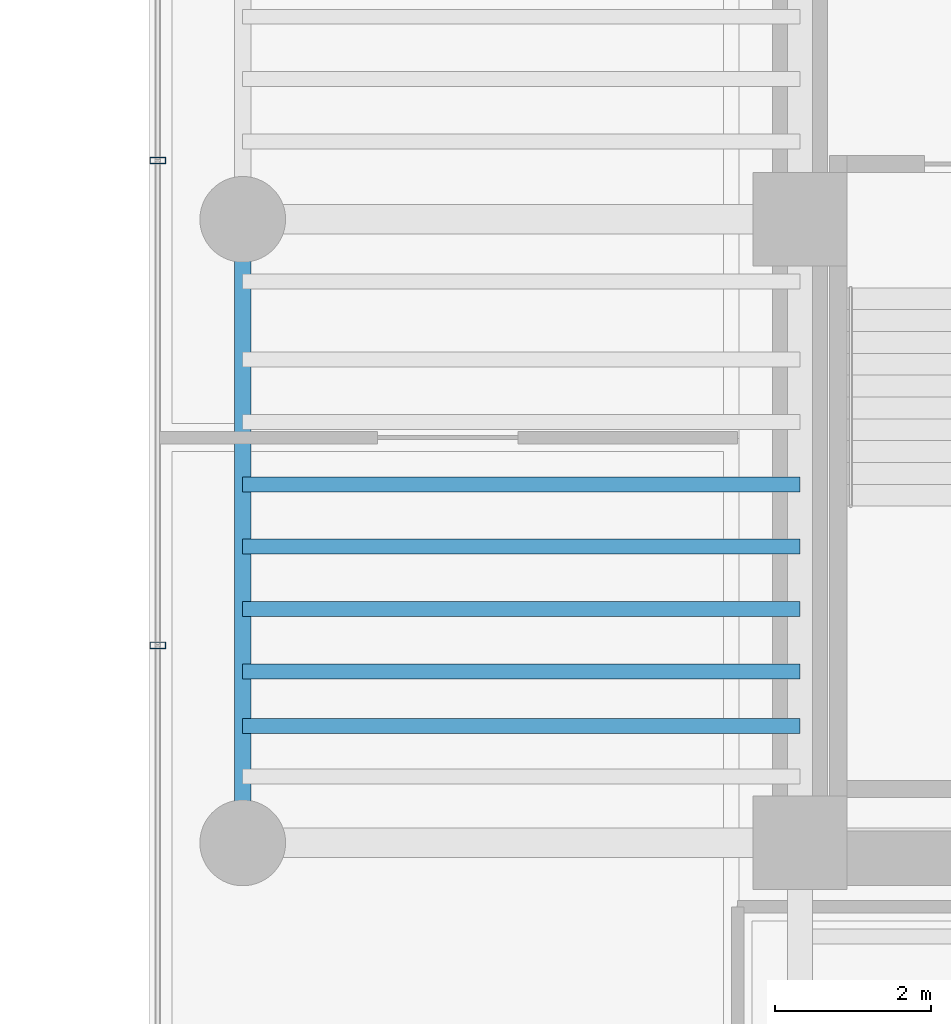
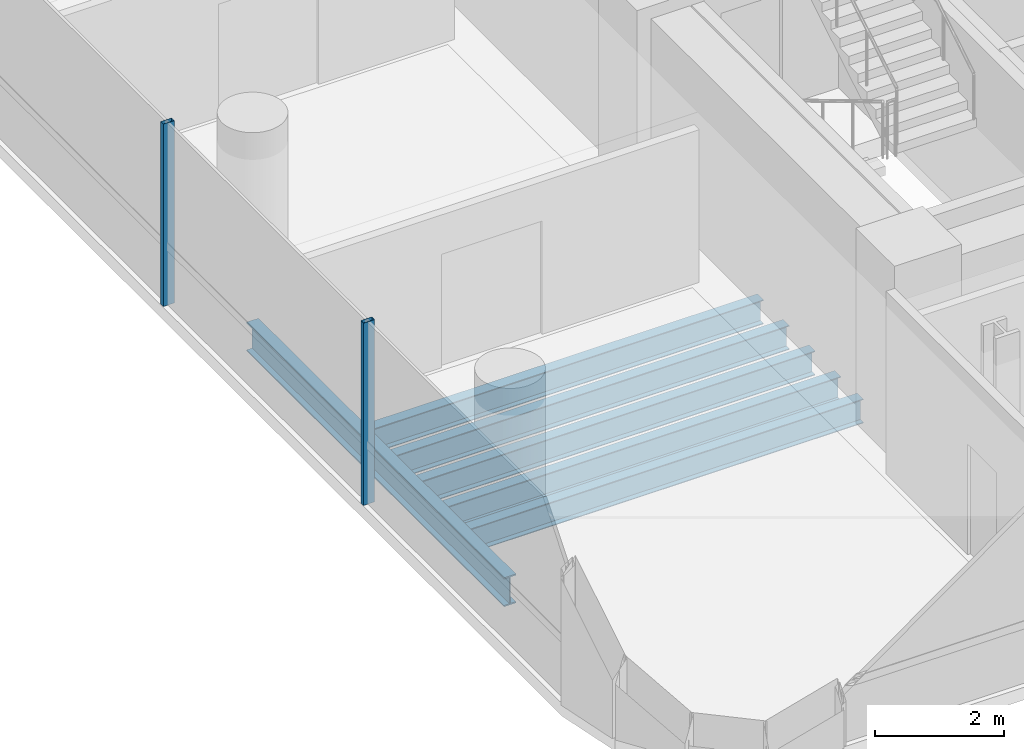
# One storey, part 4 of 35: 6 beams, 2 members, 1 element without a shape of its own.
"""IFC4 building model written with IfcOpenShell, lengths in metres."""

from ifc_helpers import new_model, si_unit, direction, frame, origin, origin_2d, place, context, subcontext, project, spatial, hollow_rectangle, i_section, extrude, source, transform, mapped, material, material_profile, profile_set, type_object, element, aggregate, save


model = new_model("IFC4")

# Units and contexts
model_context = context("Model", 3, precision=1e-05, world=origin(), true_north=direction((0.0, 1.0)))
body_context = subcontext(model_context, "Body", "Model", "MODEL_VIEW")
ifc_project = project(units=[si_unit("LENGTHUNIT", "METRE"), si_unit("AREAUNIT", "SQUARE_METRE"), si_unit("VOLUMEUNIT", "CUBIC_METRE"), si_unit("PLANEANGLEUNIT", "RADIAN"), si_unit("MASSUNIT", "GRAM", prefix="KILO")], contexts=[model_context])

# Site, building, storey
site_placement = place(None, origin())
site = spatial("IfcSite", under=ifc_project, at=site_placement, CompositionType="ELEMENT")
building_placement = place(site_placement, origin())
building = spatial("IfcBuilding", under=site, at=building_placement, Name="Valdorenza Pilgrim Sanctuary Tower", CompositionType="ELEMENT")
storey_placement = place(building_placement, frame((0.0, 0.0, 124.199951171875)))
storey = spatial("IfcBuildingStorey", under=building, at=storey_placement, Name="L31", CompositionType="ELEMENT", Elevation=124.199951171875)

# Beams
ifc_material_1 = material(Name="Steel ASTM A992 Grade 50", Category="steel")
ifc_material_profile_1 = material_profile(ifc_material_1, i_section(OverallWidth=0.214111328125, OverallDepth=0.549072265625, WebThickness=0.0146484375, FlangeThickness=0.023681640625, at=origin_2d()), Name="W21X93")
ifc_profile_set_1 = profile_set([ifc_material_profile_1], Name="Steel ASTM A992 Grade 50")
beam_type_1 = type_object("IfcBeamType", Name="STR-BM-SPN-W21A", PredefinedType="SPANDREL", material=ifc_profile_set_1)
shared_shape_1 = source(origin(), body_context, "Body", "SweptSolid", [
    extrude(i_section(OverallWidth=0.214111328125, OverallDepth=0.549072265625, WebThickness=0.0146484375, FlangeThickness=0.023681640625, at=origin_2d()), origin(), (0.0, 0.0, 1.0), 8.0),
])
beam_placement = place(storey_placement, frame((-29.800048828125, -10.60009765625, -0.514404296875), z_axis=(0.0, 1.0, 0.0), x_axis=(-1.0, 0.0, 0.0)))
element("IfcBeam", 1, at=beam_placement, inside=storey, type_object=beam_type_1, Name="L31 Spandrel Beam WA-W-S1M0", PredefinedType="SPANDREL", context=body_context, shape_type="MappedRepresentation", body=[
    mapped(shared_shape_1, transform((0.0, 0.0, 0.0), x_axis=(1.0, 0.0, 0.0), y_axis=(0.0, 1.0, 0.0), z_axis=(0.0, 0.0, 1.0), scale=1.0)),
])
ifc_material_profile_2 = material_profile(ifc_material_1, i_section(OverallWidth=0.19091796875, OverallDepth=0.45703125, WebThickness=0.009033203125, FlangeThickness=0.014404296875, at=origin_2d()), Name="W18X50")
ifc_profile_set_2 = profile_set([ifc_material_profile_2], Name="Steel ASTM A992 Grade 50")
beam_type_2 = type_object("IfcBeamType", Name="STR-BM-JST-W18B", PredefinedType="JOIST", material=ifc_profile_set_2)
shared_shape_2 = source(origin(), body_context, "Body", "SweptSolid", [
    extrude(i_section(OverallWidth=0.19091796875, OverallDepth=0.45703125, WebThickness=0.009033203125, FlangeThickness=0.014404296875, at=origin_2d()), origin(), (0.0, 0.0, 1.0), 7.150146484375),
])
for number, where, z_axis, x_axis, name in (
    (2, (-29.800048828125, -9.10009765625, -0.468505859375), (1.0, 0.0, 0.0), (0.0, 1.0, 0.0), "L31 Composite Floor Joist JST-WA-2"),
    (3, (-29.800048828125, -8.39990234375, -0.468505859375), (1.0, 0.0, 0.0), (0.0, 1.0, 0.0), "L31 Composite Floor Joist JST-WA-3"),
    (4, (-29.800048828125, -7.60009765625, -0.468505859375), (1.0, 0.0, 0.0), (0.0, 1.0, 0.0), "L31 Composite Floor Joist JST-WA-4"),
    (5, (-29.800048828125, -6.800048828125, -0.468505859375), (1.0, 0.0, 0.0), (0.0, 1.0, 0.0), "L31 Composite Floor Joist JST-WA-5"),
    (6, (-29.800048828125, -6.0, -0.468505859375), (1.0, 0.0, 0.0), (0.0, 1.0, 0.0), "L31 Composite Floor Joist JST-WA-6"),
):
    element("IfcBeam", number, at=place(storey_placement, frame(where, z_axis=z_axis, x_axis=x_axis)), inside=storey, type_object=beam_type_2, Name=name, PredefinedType="JOIST", context=body_context, shape_type="MappedRepresentation", body=[
        mapped(shared_shape_2, transform((0.0, 0.0, 0.0), x_axis=(1.0, 0.0, 0.0), y_axis=(0.0, 1.0, 0.0), z_axis=(0.0, 0.0, 1.0), scale=1.0)),
    ])

# Curtain wall, members
ifc_material_2 = material(Name="Curtain-wall IGU glazing", Category="glass")
curtain_wall_type = type_object("IfcCurtainWallType", Name="CW-SYS-02", PredefinedType="NOTDEFINED", material=ifc_material_2)
curtain_wall_placement = place(storey_placement, origin())
curtain_wall = element("IfcCurtainWall", 7, at=curtain_wall_placement, inside=storey, type_object=curtain_wall_type, Name="L31 Curtain Wall CW-L31-1-1S1", PredefinedType="NOTDEFINED")
ifc_material_3 = material(Name="Anodised aluminium AW-6060", Category="aluminium")
ifc_material_profile_3 = material_profile(ifc_material_3, hollow_rectangle(XDim=0.0849609375, YDim=0.199951171875, WallThickness=0.0048828125, at=origin_2d()), Name="ALU-M 200x85x5")
ifc_profile_set_3 = profile_set([ifc_material_profile_3], Name="Anodised aluminium AW-6060")
member_type = type_object("IfcMemberType", Name="CW-MUL-02", PredefinedType="MULLION", material=ifc_profile_set_3)
shared_shape_3 = source(origin(), body_context, "Body", "SweptSolid", [
    extrude(hollow_rectangle(XDim=0.0849609375, YDim=0.199951171875, WallThickness=0.0048828125, at=origin_2d()), origin(), (0.0, 0.0, 1.0), 3.4599609375),
])
member_1_placement = place(storey_placement, frame((-30.889892578125, -8.06689453125, 0.0), z_axis=(0.0, 0.0, 1.0), x_axis=(0.0, 1.0, 0.0)))
member_1 = element("IfcMember", 8, at=member_1_placement, type_object=member_type, Name="CW-L31-1-1S1 Mullion 2", PredefinedType="MULLION", context=body_context, shape_type="MappedRepresentation", body=[
    mapped(shared_shape_3, transform((0.0, 0.0, 0.0), x_axis=(1.0, 0.0, 0.0), y_axis=(0.0, 1.0, 0.0), z_axis=(0.0, 0.0, 1.0), scale=1.0)),
])
member_2_placement = place(storey_placement, frame((-30.889892578125, -1.844482421875, 0.0), z_axis=(0.0, 0.0, 1.0), x_axis=(0.0, 1.0, 0.0)))
member_2 = element("IfcMember", 9, at=member_2_placement, type_object=member_type, Name="CW-L31-1-1S1 Mullion 3", PredefinedType="MULLION", context=body_context, shape_type="MappedRepresentation", body=[
    mapped(shared_shape_3, transform((0.0, 0.0, 0.0), x_axis=(1.0, 0.0, 0.0), y_axis=(0.0, 1.0, 0.0), z_axis=(0.0, 0.0, 1.0), scale=1.0)),
])
aggregate(curtain_wall, [member_1, member_2])

save(model, "model.ifc")
